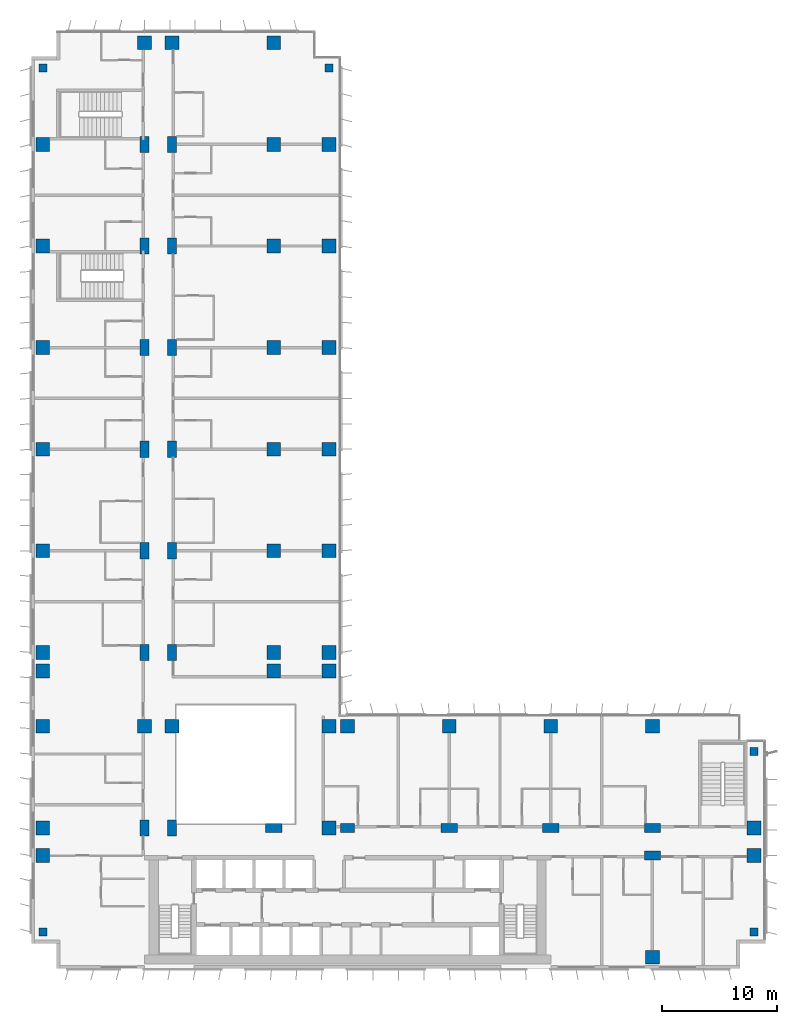
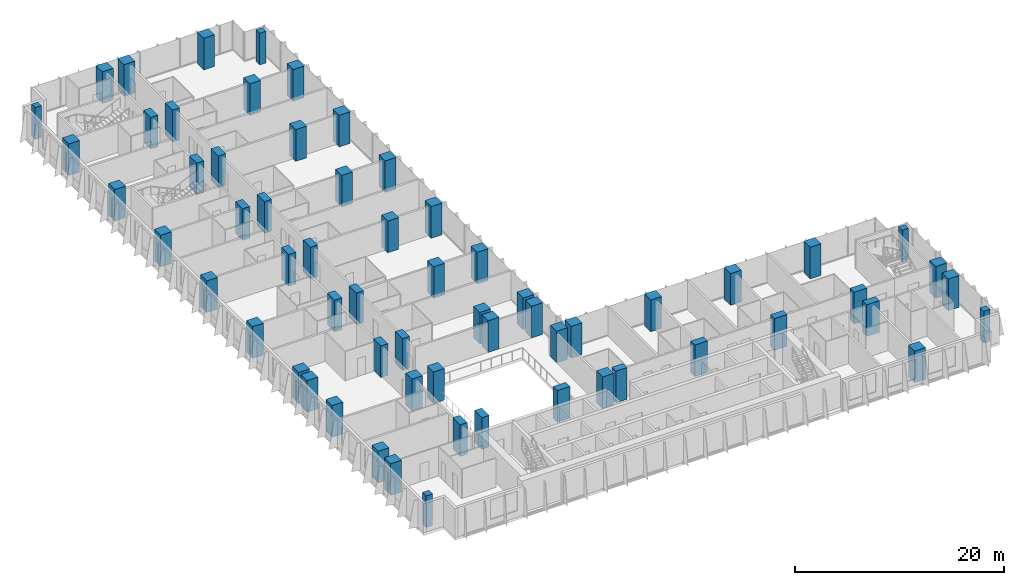
# One storey, part 1 of 23: 63 columns.
"""IFC4 building model written with IfcOpenShell, lengths in metres."""

from ifc_helpers import new_model, si_unit, direction, frame, origin, origin_2d, place, context, subcontext, project, spatial, rectangle, extrude, material, material_profile, profile_set, type_object, element, save


model = new_model("IFC4")

# Units and contexts
model_context = context("Model", 3, precision=1e-05, world=origin(), true_north=direction((0.0, 1.0)))
body_context = subcontext(model_context, "Body", "Model", "MODEL_VIEW")
ifc_project = project(units=[si_unit("LENGTHUNIT", "METRE"), si_unit("AREAUNIT", "SQUARE_METRE"), si_unit("VOLUMEUNIT", "CUBIC_METRE"), si_unit("PLANEANGLEUNIT", "RADIAN"), si_unit("MASSUNIT", "GRAM", prefix="KILO")], contexts=[model_context])

# Site, building, storey
site_placement = place(None, origin())
site = spatial("IfcSite", under=ifc_project, at=site_placement, CompositionType="ELEMENT")
building_placement = place(site_placement, origin())
building = spatial("IfcBuilding", under=site, at=building_placement, Name="Kemantara Hotel Tower", CompositionType="ELEMENT")
storey_placement = place(building_placement, frame((0.0, 0.0, 118.5)))
storey = spatial("IfcBuildingStorey", under=building, at=storey_placement, Name="L28", CompositionType="ELEMENT", Elevation=118.5)

# Columns
ifc_material = material(Name="Concrete fc 70 MPa", Category="concrete")
ifc_material_profile_1 = material_profile(ifc_material, rectangle(XDim=1.199951171875, YDim=1.199951171875, at=origin_2d()), Name="RC 1200X1200")
ifc_profile_set_1 = profile_set([ifc_material_profile_1], Name="Concrete fc 70 MPa")
column_type_1 = type_object("IfcColumnType", Name="RC COLUMN 1200X1200 FC70", PredefinedType="COLUMN", material=ifc_profile_set_1)
for number, where, z_axis, x_axis, name in (
    (1, (1.0, 9.800048828125, 0.0), (0.0, 0.0, 1.0), (1.0, 0.0, 0.0), "COLUMN 1/B L28"),
    (2, (1.0, 12.199951171875, 0.0), (0.0, 0.0, 1.0), (1.0, 0.0, 0.0), "COLUMN 1/BA L28"),
    (3, (1.0, 21.0, 0.0), (0.0, 0.0, 1.0), (1.0, 0.0, 0.0), "COLUMN 1/C L28"),
    (4, (1.0, 25.800048828125, 0.0), (0.0, 0.0, 1.0), (1.0, 0.0, 0.0), "COLUMN 1/CA L28"),
    (5, (1.0, 27.39990234375, 0.0), (0.0, 0.0, 1.0), (1.0, 0.0, 0.0), "COLUMN 1/D L28"),
    (6, (1.0, 36.199951171875, 0.0), (0.0, 0.0, 1.0), (1.0, 0.0, 0.0), "COLUMN 1/E L28"),
    (7, (1.0, 45.0, 0.0), (0.0, 0.0, 1.0), (1.0, 0.0, 0.0), "COLUMN 1/F L28"),
    (8, (1.0, 53.800048828125, 0.0), (0.0, 0.0, 1.0), (1.0, 0.0, 0.0), "COLUMN 1/G L28"),
    (9, (1.0, 62.60009765625, 0.0), (0.0, 0.0, 1.0), (1.0, 0.0, 0.0), "COLUMN 1/H L28"),
    (10, (1.0, 71.39990234375, 0.0), (0.0, 0.0, 1.0), (1.0, 0.0, 0.0), "COLUMN 1/J L28"),
    (11, (9.800048828125, 21.0, 0.0), (0.0, 0.0, 1.0), (1.0, 0.0, 0.0), "COLUMN 2/C L28"),
    (12, (9.800048828125, 80.199951171875, 0.0), (0.0, 0.0, 1.0), (1.0, 0.0, 0.0), "COLUMN 2/K L28"),
    (13, (12.199951171875, 21.0, 0.0), (0.0, 0.0, 1.0), (1.0, 0.0, 0.0), "COLUMN 2A/C L28"),
    (14, (12.199951171875, 80.199951171875, 0.0), (0.0, 0.0, 1.0), (1.0, 0.0, 0.0), "COLUMN 2A/K L28"),
    (15, (21.0, 25.800048828125, 0.0), (0.0, 0.0, 1.0), (1.0, 0.0, 0.0), "COLUMN 3/CA L28"),
    (16, (21.0, 27.39990234375, 0.0), (0.0, 0.0, 1.0), (1.0, 0.0, 0.0), "COLUMN 3/D L28"),
    (17, (21.0, 36.199951171875, 0.0), (0.0, 0.0, 1.0), (1.0, 0.0, 0.0), "COLUMN 3/E L28"),
    (18, (21.0, 45.0, 0.0), (0.0, 0.0, 1.0), (1.0, 0.0, 0.0), "COLUMN 3/F L28"),
    (19, (21.0, 53.800048828125, 0.0), (0.0, 0.0, 1.0), (1.0, 0.0, 0.0), "COLUMN 3/G L28"),
    (20, (21.0, 62.60009765625, 0.0), (0.0, 0.0, 1.0), (1.0, 0.0, 0.0), "COLUMN 3/H L28"),
    (21, (21.0, 71.39990234375, 0.0), (0.0, 0.0, 1.0), (1.0, 0.0, 0.0), "COLUMN 3/J L28"),
    (22, (21.0, 80.199951171875, 0.0), (0.0, 0.0, 1.0), (1.0, 0.0, 0.0), "COLUMN 3/K L28"),
    (23, (25.800048828125, 12.199951171875, 0.0), (0.0, 0.0, 1.0), (1.0, 0.0, 0.0), "COLUMN 3A/BA L28"),
    (24, (25.800048828125, 21.0, 0.0), (0.0, 0.0, 1.0), (1.0, 0.0, 0.0), "COLUMN 3A/C L28"),
    (25, (25.800048828125, 25.800048828125, 0.0), (0.0, 0.0, 1.0), (1.0, 0.0, 0.0), "COLUMN 3A/CA L28"),
    (26, (25.800048828125, 27.39990234375, 0.0), (0.0, 0.0, 1.0), (1.0, 0.0, 0.0), "COLUMN 3A/D L28"),
    (27, (25.800048828125, 36.199951171875, 0.0), (0.0, 0.0, 1.0), (1.0, 0.0, 0.0), "COLUMN 3A/E L28"),
    (28, (25.800048828125, 45.0, 0.0), (0.0, 0.0, 1.0), (1.0, 0.0, 0.0), "COLUMN 3A/F L28"),
    (29, (25.800048828125, 53.800048828125, 0.0), (0.0, 0.0, 1.0), (1.0, 0.0, 0.0), "COLUMN 3A/G L28"),
    (30, (25.800048828125, 62.60009765625, 0.0), (0.0, 0.0, 1.0), (1.0, 0.0, 0.0), "COLUMN 3A/H L28"),
    (31, (25.800048828125, 71.39990234375, 0.0), (0.0, 0.0, 1.0), (1.0, 0.0, 0.0), "COLUMN 3A/J L28"),
    (32, (27.39990234375, 21.0, 0.0), (0.0, 0.0, 1.0), (1.0, 0.0, 0.0), "COLUMN 4/C L28"),
    (33, (36.199951171875, 21.0, 0.0), (0.0, 0.0, 1.0), (1.0, 0.0, 0.0), "COLUMN 5/C L28"),
    (34, (45.0, 21.0, 0.0), (0.0, 0.0, 1.0), (1.0, 0.0, 0.0), "COLUMN 6/C L28"),
    (35, (53.800048828125, 1.0, 0.0), (0.0, 0.0, 1.0), (1.0, 0.0, 0.0), "COLUMN 7/A L28"),
    (36, (53.800048828125, 21.0, 0.0), (0.0, 0.0, 1.0), (1.0, 0.0, 0.0), "COLUMN 7/C L28"),
    (37, (62.60009765625, 9.800048828125, 0.0), (0.0, 0.0, 1.0), (1.0, 0.0, 0.0), "COLUMN 8/B L28"),
    (38, (62.60009765625, 12.199951171875, 0.0), (0.0, 0.0, 1.0), (1.0, 0.0, 0.0), "COLUMN 8/BA L28"),
):
    element("IfcColumn", number, at=place(storey_placement, frame(where, z_axis=z_axis, x_axis=x_axis)), inside=storey, type_object=column_type_1, Name=name, PredefinedType="COLUMN", context=body_context, shape_type="SweptSolid", body=[
        extrude(rectangle(XDim=1.199951171875, YDim=1.199951171875, at=origin_2d()), origin(), (0.0, 0.0, 1.0), 3.699951171875),
    ])
ifc_material_profile_2 = material_profile(ifc_material, rectangle(XDim=1.199951171875, YDim=0.800048828125, at=origin_2d()), Name="RC 1200X800")
ifc_profile_set_2 = profile_set([ifc_material_profile_2], Name="Concrete fc 70 MPa")
column_type_2 = type_object("IfcColumnType", Name="RC COLUMN 1200X800 FC70", PredefinedType="COLUMN", material=ifc_profile_set_2)
column_placement = place(storey_placement, frame((27.39990234375, 12.199951171875, 0.0), z_axis=(0.0, 0.0, 1.0), x_axis=(1.0, 0.0, 0.0)))
element("IfcColumn", 39, at=column_placement, inside=storey, type_object=column_type_2, Name="COLUMN 4/BA L28", PredefinedType="COLUMN", context=body_context, shape_type="SweptSolid", body=[
    extrude(rectangle(XDim=1.199951171875, YDim=0.800048828125, at=origin_2d()), origin(), (0.0, 0.0, 1.0), 3.699951171875),
])
ifc_material_profile_3 = material_profile(ifc_material, rectangle(XDim=1.39990234375, YDim=0.800048828125, at=origin_2d()), Name="RC 1400X800")
ifc_profile_set_3 = profile_set([ifc_material_profile_3], Name="Concrete fc 70 MPa")
column_type_3 = type_object("IfcColumnType", Name="RC COLUMN 1400X800 FC70", PredefinedType="COLUMN", material=ifc_profile_set_3)
for number, where, z_axis, x_axis, name in (
    (40, (9.800048828125, 12.199951171875, 0.0), (0.0, 0.0, 1.0), (0.0, 1.0, 0.0), "COLUMN 2/BA L28"),
    (41, (9.800048828125, 27.39990234375, 0.0), (0.0, 0.0, 1.0), (0.0, 1.0, 0.0), "COLUMN 2/D L28"),
    (42, (9.800048828125, 36.199951171875, 0.0), (0.0, 0.0, 1.0), (0.0, 1.0, 0.0), "COLUMN 2/E L28"),
    (43, (9.800048828125, 45.0, 0.0), (0.0, 0.0, 1.0), (0.0, 1.0, 0.0), "COLUMN 2/F L28"),
    (44, (9.800048828125, 53.800048828125, 0.0), (0.0, 0.0, 1.0), (0.0, 1.0, 0.0), "COLUMN 2/G L28"),
    (45, (9.800048828125, 62.60009765625, 0.0), (0.0, 0.0, 1.0), (0.0, 1.0, 0.0), "COLUMN 2/H L28"),
    (46, (9.800048828125, 71.39990234375, 0.0), (0.0, 0.0, 1.0), (0.0, 1.0, 0.0), "COLUMN 2/J L28"),
    (47, (12.199951171875, 12.199951171875, 0.0), (0.0, 0.0, 1.0), (0.0, 1.0, 0.0), "COLUMN 2A/BA L28"),
    (48, (12.199951171875, 27.39990234375, 0.0), (0.0, 0.0, 1.0), (0.0, 1.0, 0.0), "COLUMN 2A/D L28"),
    (49, (12.199951171875, 36.199951171875, 0.0), (0.0, 0.0, 1.0), (0.0, 1.0, 0.0), "COLUMN 2A/E L28"),
    (50, (12.199951171875, 45.0, 0.0), (0.0, 0.0, 1.0), (0.0, 1.0, 0.0), "COLUMN 2A/F L28"),
    (51, (12.199951171875, 53.800048828125, 0.0), (0.0, 0.0, 1.0), (0.0, 1.0, 0.0), "COLUMN 2A/G L28"),
    (52, (12.199951171875, 62.60009765625, 0.0), (0.0, 0.0, 1.0), (0.0, 1.0, 0.0), "COLUMN 2A/H L28"),
    (53, (12.199951171875, 71.39990234375, 0.0), (0.0, 0.0, 1.0), (0.0, 1.0, 0.0), "COLUMN 2A/J L28"),
    (54, (21.0, 12.199951171875, 0.0), (0.0, 0.0, 1.0), (1.0, 0.0, 0.0), "COLUMN 3/BA L28"),
    (55, (36.199951171875, 12.199951171875, 0.0), (0.0, 0.0, 1.0), (1.0, 0.0, 0.0), "COLUMN 5/BA L28"),
    (56, (45.0, 12.199951171875, 0.0), (0.0, 0.0, 1.0), (1.0, 0.0, 0.0), "COLUMN 6/BA L28"),
    (57, (53.800048828125, 9.800048828125, 0.0), (0.0, 0.0, 1.0), (1.0, 0.0, 0.0), "COLUMN 7/B L28"),
    (58, (53.800048828125, 12.199951171875, 0.0), (0.0, 0.0, 1.0), (1.0, 0.0, 0.0), "COLUMN 7/BA L28"),
):
    element("IfcColumn", number, at=place(storey_placement, frame(where, z_axis=z_axis, x_axis=x_axis)), inside=storey, type_object=column_type_3, Name=name, PredefinedType="COLUMN", context=body_context, shape_type="SweptSolid", body=[
        extrude(rectangle(XDim=1.39990234375, YDim=0.800048828125, at=origin_2d()), origin(), (0.0, 0.0, 1.0), 3.699951171875),
    ])
ifc_material_profile_4 = material_profile(ifc_material, rectangle(XDim=0.699951171875, YDim=0.699951171875, at=origin_2d()), Name="RC 700X700")
ifc_profile_set_4 = profile_set([ifc_material_profile_4], Name="Concrete fc 70 MPa")
column_type_4 = type_object("IfcColumnType", Name="RC COLUMN 700X700 FC70", PredefinedType="COLUMN", material=ifc_profile_set_4)
for number, where, z_axis, x_axis, name in (
    (59, (1.0, 3.199951171875, 0.0), (0.0, 0.0, 1.0), (1.0, 0.0, 0.0), "COLUMN notch corner L28"),
    (60, (1.0, 78.0, 0.0), (0.0, 0.0, 1.0), (1.0, 0.0, 0.0), "COLUMN notch corner L28"),
    (61, (25.800048828125, 78.0, 0.0), (0.0, 0.0, 1.0), (1.0, 0.0, 0.0), "COLUMN notch corner L28"),
    (62, (62.60009765625, 3.199951171875, 0.0), (0.0, 0.0, 1.0), (1.0, 0.0, 0.0), "COLUMN notch corner L28"),
    (63, (62.60009765625, 18.800048828125, 0.0), (0.0, 0.0, 1.0), (1.0, 0.0, 0.0), "COLUMN notch corner L28"),
):
    element("IfcColumn", number, at=place(storey_placement, frame(where, z_axis=z_axis, x_axis=x_axis)), inside=storey, type_object=column_type_4, Name=name, PredefinedType="COLUMN", context=body_context, shape_type="SweptSolid", body=[
        extrude(rectangle(XDim=0.699951171875, YDim=0.699951171875, at=origin_2d()), origin(), (0.0, 0.0, 1.0), 3.699951171875),
    ])

save(model, "model.ifc")
